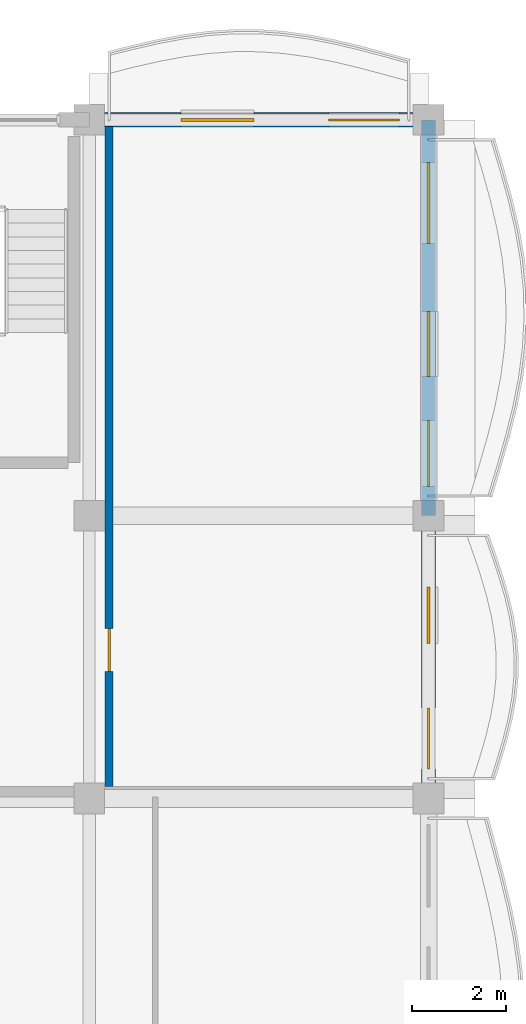
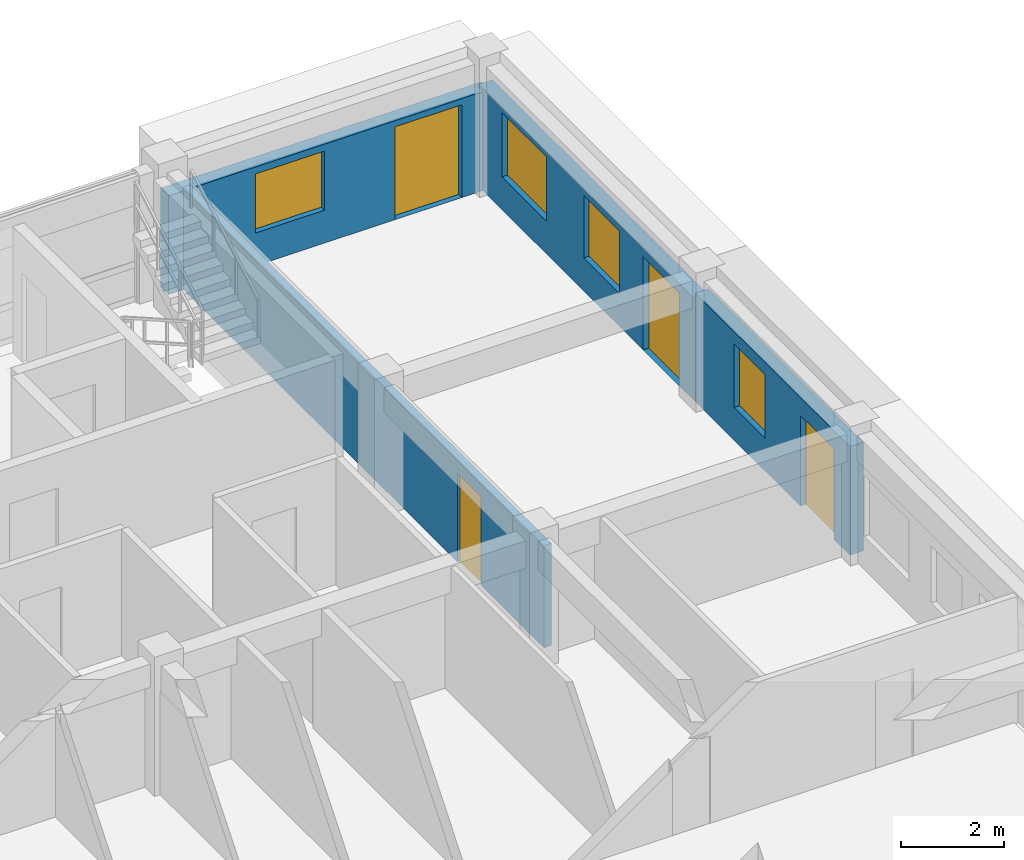
# One storey, part 37 of 66: 4 doors, 4 walls, 4 windows, 8 openings.
"""IFC4 building model written with IfcOpenShell, lengths in metres."""

from ifc_helpers import new_model, si_unit, direction, frame, frame_2d, origin, place, context, subcontext, project, spatial, rectangle, extrude, material, layer, layer_set, type_object, element, fill, save


model = new_model("IFC4")

# Units and contexts
model_context = context("Model", 3, precision=1e-05, world=origin(), true_north=direction((0.0, 1.0)))
body_context = subcontext(model_context, "Body", "Model", "MODEL_VIEW")
ifc_project = project(units=[si_unit("LENGTHUNIT", "METRE"), si_unit("AREAUNIT", "SQUARE_METRE"), si_unit("VOLUMEUNIT", "CUBIC_METRE"), si_unit("PLANEANGLEUNIT", "RADIAN"), si_unit("MASSUNIT", "GRAM", prefix="KILO"), si_unit("THERMODYNAMICTEMPERATUREUNIT", "KELVIN")], contexts=[model_context])

# Site, building, storey
site_placement = place(None, origin())
site = spatial("IfcSite", under=ifc_project, at=site_placement, CompositionType="ELEMENT")
building_placement = place(site_placement, origin())
building = spatial("IfcBuilding", under=site, at=building_placement, Name="Thalorik Housing Commons", CompositionType="ELEMENT")
storey_placement = place(building_placement, frame((0.0, 0.0, 21.300048828125)))
storey = spatial("IfcBuildingStorey", under=building, at=storey_placement, Name="L06", CompositionType="ELEMENT", Elevation=21.300048828125)

# Wall, opening, door
ifc_material_1 = material(Name="Masonry fire-rated corridor wall", Category="masonry")
ifc_layer_1 = layer(ifc_material_1, 0.1650390625, Name="Masonry fire-rated corridor wall", Category="masonry")
ifc_layer_set_1 = layer_set([ifc_layer_1], Name="Masonry fire-rated corridor wall")
wall_type_1 = type_object("IfcWallType", Name="ARC-WAL-CORR-165", PredefinedType="PARTITIONING", material=ifc_layer_set_1)
wall_1_placement = place(storey_placement, frame((167.219970703125, 109.451904296875, 0.0), z_axis=(0.0, 0.0, 1.0), x_axis=(0.0, 1.0, 0.0)))
wall_1 = element("IfcWall", 1, at=wall_1_placement, inside=storey, type_object=wall_type_1, Name="L06 Block B East Studio Wall", PredefinedType="PARTITIONING", context=body_context, shape_type="SweptSolid", body=[
    extrude(rectangle(XDim=14.008056640625, YDim=0.1650390625, at=frame_2d((7.00390625, 0.0))), origin(), (0.0, 0.0, 1.0), 2.425048828125),
])
opening_1_placement = place(wall_1_placement, frame((2.43798828125, 0.0, 0.0)))
opening_1 = element("IfcOpeningElement", 2, at=opening_1_placement, cuts=wall_1, Name="Opening ID-1253", PredefinedType="OPENING", context=body_context, shape_type="SweptSolid", body=[
    extrude(rectangle(XDim=0.919921875, YDim=2.10009765625, at=frame_2d((0.4599609375, 1.050048828125))), frame((0.0, 0.092529296875, 0.0), z_axis=(0.0, -1.0, 0.0), x_axis=(1.0, 0.0, 0.0)), (0.0, 0.0, 1.0), 0.18505859375),
])
ifc_material_2 = material(Name="Solid core hardwood timber", Category="wood")
door_type_1 = type_object("IfcDoorType", Name="ARC-DR-FD30-920", OperationType="NOTDEFINED", PredefinedType="DOOR", material=ifc_material_2)
door_1_placement = place(opening_1_placement, origin())
door_1 = element("IfcDoor", 3, at=door_1_placement, inside=storey, type_object=door_type_1, Name="L06 Block B East Room Door", OperationType="SINGLE_SWING_RIGHT", OverallHeight=2.10009765625, OverallWidth=0.919921875, PredefinedType="DOOR", context=body_context, shape_type="SweptSolid", body=[
    extrude(rectangle(XDim=0.919921875, YDim=2.10009765625, at=frame_2d((0.4599609375, 1.050048828125))), frame((0.0, 0.02490234375, 0.0), z_axis=(0.0, -1.0, 0.0), x_axis=(1.0, 0.0, 0.0)), (0.0, 0.0, 1.0), 0.050048828125),
])
fill(opening_1, door_1)

# Wall, openings, door, window
ifc_material_3 = material(Name="White precast concrete C40/50", Category="concrete")
ifc_layer_2 = layer(ifc_material_3, 0.304931640625, Name="White precast concrete C40/50", Category="concrete")
ifc_layer_set_2 = layer_set([ifc_layer_2], Name="White precast concrete C40/50")
wall_type_2 = type_object("IfcWallType", Name="ARC-WAL-EXT-305", PredefinedType="STANDARD", material=ifc_layer_set_2)
wall_2_placement = place(storey_placement, frame((174.0, 109.199951171875, 0.0), z_axis=(0.0, 0.0, 1.0), x_axis=(0.0, 1.0, 0.0)))
wall_2 = element("IfcWall", 4, at=wall_2_placement, inside=storey, type_object=wall_type_2, Name="L06 Exterior Wall WAL-EXT-L06-B-0597", PredefinedType="STANDARD", context=body_context, shape_type="SweptSolid", body=[
    extrude(rectangle(XDim=6.0, YDim=0.304931640625, at=frame_2d((3.0, 0.0))), origin(), (0.0, 0.0, 1.0), 2.574951171875),
])
opening_2_placement = place(wall_2_placement, frame((0.6201171875, 0.0, 0.0)))
opening_2 = element("IfcOpeningElement", 5, at=opening_2_placement, cuts=wall_2, Name="Opening ED-0191", PredefinedType="OPENING", context=body_context, shape_type="SweptSolid", body=[
    extrude(rectangle(XDim=1.300048828125, YDim=2.14990234375, at=frame_2d((0.64990234375, 1.074951171875))), frame((0.0, 0.16259765625, 0.0), z_axis=(0.0, -1.0, 0.0), x_axis=(1.0, 0.0, 0.0)), (0.0, 0.0, 1.0), 0.324951171875),
])
opening_3_placement = place(wall_2_placement, frame((3.2900390625, 0.0, 0.780029296875)))
opening_3 = element("IfcOpeningElement", 6, at=opening_3_placement, cuts=wall_2, Name="Opening W-05", PredefinedType="OPENING", context=body_context, shape_type="SweptSolid", body=[
    extrude(rectangle(XDim=1.199951171875, YDim=1.5, at=frame_2d((0.60009765625, 0.75))), frame((0.0, 0.16259765625, 0.0), z_axis=(0.0, -1.0, 0.0), x_axis=(1.0, 0.0, 0.0)), (0.0, 0.0, 1.0), 0.324951171875),
])
ifc_material_4 = material(Name="Anodised aluminium and laminated safety glass", Category="aluminium")
door_type_2 = type_object("IfcDoorType", Name="ARC-DR-BAL-1300", OperationType="NOTDEFINED", PredefinedType="DOOR", material=ifc_material_4)
door_2_placement = place(opening_2_placement, frame((1.300048828125, 0.0, 0.0), z_axis=(0.0, 0.0, 1.0), x_axis=(-1.0, 0.0, 0.0)))
door_2 = element("IfcDoor", 7, at=door_2_placement, inside=storey, type_object=door_type_2, Name="L06 Block B Balcony Glazed Door", OperationType="SINGLE_SWING_RIGHT", OverallHeight=2.14990234375, OverallWidth=1.300048828125, PredefinedType="DOOR", context=body_context, shape_type="SweptSolid", body=[
    extrude(rectangle(XDim=1.300048828125, YDim=2.14990234375, at=frame_2d((0.64990234375, 1.074951171875))), frame((0.0, 0.02490234375, 0.0), z_axis=(0.0, -1.0, 0.0), x_axis=(1.0, 0.0, 0.0)), (0.0, 0.0, 1.0), 0.050048828125),
])
fill(opening_2, door_2)
ifc_material_5 = material(Name="Anodised aluminium and solar-control low-E glass", Category="aluminium")
window_type_1 = type_object("IfcWindowType", Name="ARC-WIN-05", PartitioningType="SINGLE_PANEL", PredefinedType="WINDOW", material=ifc_material_5)
window_1_placement = place(opening_3_placement, origin())
window_1 = element("IfcWindow", 8, at=window_1_placement, inside=storey, type_object=window_type_1, Name="L06 Facade Window 1085", OverallHeight=1.5, OverallWidth=1.199951171875, PartitioningType="SINGLE_PANEL", PredefinedType="WINDOW", context=body_context, shape_type="SweptSolid", body=[
    extrude(rectangle(XDim=1.199951171875, YDim=1.5, at=frame_2d((0.60009765625, 0.75))), frame((0.0, 0.030029296875, 0.0), z_axis=(0.0, -1.0, 0.0), x_axis=(1.0, 0.0, 0.0)), (0.0, 0.0, 1.0), 0.06005859375),
])
fill(opening_3, window_1)

# Wall, openings, door, windows
wall_3_placement = place(storey_placement, frame((174.0, 115.199951171875, 0.0), z_axis=(0.0, 0.0, 1.0), x_axis=(0.0, 1.0, 0.0)))
wall_3 = element("IfcWall", 9, at=wall_3_placement, inside=storey, type_object=wall_type_2, Name="L06 Exterior Wall WAL-EXT-L06-B-0598", PredefinedType="STANDARD", context=body_context, shape_type="SweptSolid", body=[
    extrude(rectangle(XDim=8.400146484375, YDim=0.304931640625, at=frame_2d((4.2001953125, 0.0))), origin(), (0.0, 0.0, 1.0), 2.425048828125),
])
opening_4_placement = place(wall_3_placement, frame((0.6201171875, 0.0, 0.0)))
opening_4 = element("IfcOpeningElement", 10, at=opening_4_placement, cuts=wall_3, Name="Opening ED-0192", PredefinedType="OPENING", context=body_context, shape_type="SweptSolid", body=[
    extrude(rectangle(XDim=1.39990234375, YDim=2.199951171875, at=frame_2d((0.699951171875, 1.10009765625))), frame((0.0, 0.16259765625, 0.0), z_axis=(0.0, -1.0, 0.0), x_axis=(1.0, 0.0, 0.0)), (0.0, 0.0, 1.0), 0.324951171875),
])
opening_5_placement = place(wall_3_placement, frame((2.949951171875, 0.0, 0.780029296875)))
opening_5 = element("IfcOpeningElement", 11, at=opening_5_placement, cuts=wall_3, Name="Opening W-49", PredefinedType="OPENING", context=body_context, shape_type="SweptSolid", body=[
    extrude(rectangle(XDim=1.3798828125, YDim=1.47998046875, at=frame_2d((0.68994140625, 0.739990234375))), frame((0.0, 0.16259765625, 0.0), z_axis=(0.0, -1.0, 0.0), x_axis=(1.0, 0.0, 0.0)), (0.0, 0.0, 1.0), 0.324951171875),
])
opening_6_placement = place(wall_3_placement, frame((5.780029296875, 0.0, 0.780029296875)))
opening_6 = element("IfcOpeningElement", 12, at=opening_6_placement, cuts=wall_3, Name="Opening W-56", PredefinedType="OPENING", context=body_context, shape_type="SweptSolid", body=[
    extrude(rectangle(XDim=1.719970703125, YDim=1.52001953125, at=frame_2d((0.85986328125, 0.760009765625))), frame((0.0, 0.16259765625, 0.0), z_axis=(0.0, -1.0, 0.0), x_axis=(1.0, 0.0, 0.0)), (0.0, 0.0, 1.0), 0.324951171875),
])
door_type_3 = type_object("IfcDoorType", Name="ARC-DR-BAL-1400", OperationType="NOTDEFINED", PredefinedType="DOOR", material=ifc_material_4)
door_3_placement = place(opening_4_placement, frame((1.39990234375, 0.0, 0.0), z_axis=(0.0, 0.0, 1.0), x_axis=(-1.0, 0.0, 0.0)))
door_3 = element("IfcDoor", 13, at=door_3_placement, inside=storey, type_object=door_type_3, Name="L06 Block B Balcony Glazed Door", OperationType="SLIDING_TO_LEFT", OverallHeight=2.199951171875, OverallWidth=1.39990234375, PredefinedType="DOOR", context=body_context, shape_type="SweptSolid", body=[
    extrude(rectangle(XDim=1.39990234375, YDim=2.199951171875, at=frame_2d((0.699951171875, 1.10009765625))), frame((0.0, 0.02490234375, 0.0), z_axis=(0.0, -1.0, 0.0), x_axis=(1.0, 0.0, 0.0)), (0.0, 0.0, 1.0), 0.050048828125),
])
fill(opening_4, door_3)
window_type_2 = type_object("IfcWindowType", Name="ARC-WIN-49", PartitioningType="SINGLE_PANEL", PredefinedType="WINDOW", material=ifc_material_5)
window_2_placement = place(opening_5_placement, origin())
window_2 = element("IfcWindow", 14, at=window_2_placement, inside=storey, type_object=window_type_2, Name="L06 Facade Window 1086", OverallHeight=1.47998046875, OverallWidth=1.3798828125, PartitioningType="SINGLE_PANEL", PredefinedType="WINDOW", context=body_context, shape_type="SweptSolid", body=[
    extrude(rectangle(XDim=1.3798828125, YDim=1.47998046875, at=frame_2d((0.68994140625, 0.739990234375))), frame((0.0, 0.030029296875, 0.0), z_axis=(0.0, -1.0, 0.0), x_axis=(1.0, 0.0, 0.0)), (0.0, 0.0, 1.0), 0.06005859375),
])
fill(opening_5, window_2)
window_type_3 = type_object("IfcWindowType", Name="ARC-WIN-56", PartitioningType="DOUBLE_PANEL_VERTICAL", PredefinedType="WINDOW", material=ifc_material_5)
window_3_placement = place(opening_6_placement, origin())
window_3 = element("IfcWindow", 15, at=window_3_placement, inside=storey, type_object=window_type_3, Name="L06 Facade Window 1087", OverallHeight=1.52001953125, OverallWidth=1.719970703125, PartitioningType="DOUBLE_PANEL_VERTICAL", PredefinedType="WINDOW", context=body_context, shape_type="SweptSolid", body=[
    extrude(rectangle(XDim=1.719970703125, YDim=1.52001953125, at=frame_2d((0.85986328125, 0.760009765625))), frame((0.0, 0.030029296875, 0.0), z_axis=(0.0, -1.0, 0.0), x_axis=(1.0, 0.0, 0.0)), (0.0, 0.0, 1.0), 0.06005859375),
])
fill(opening_6, window_3)

# Wall, openings, door, window
wall_4_placement = place(storey_placement, frame((174.0, 123.60009765625, 0.0), z_axis=(0.0, 0.0, 1.0), x_axis=(-1.0, 0.0, 0.0)))
wall_4 = element("IfcWall", 16, at=wall_4_placement, inside=storey, type_object=wall_type_2, Name="L06 Exterior Wall WAL-EXT-L06-B-0599", PredefinedType="STANDARD", context=body_context, shape_type="SweptSolid", body=[
    extrude(rectangle(XDim=7.199951171875, YDim=0.304931640625, at=frame_2d((3.60009765625, 0.0))), origin(), (0.0, 0.0, 1.0), 2.344970703125),
])
opening_7_placement = place(wall_4_placement, frame((0.6201171875, 0.0, 0.0)))
opening_7 = element("IfcOpeningElement", 17, at=opening_7_placement, cuts=wall_4, Name="Opening ED-0193", PredefinedType="OPENING", context=body_context, shape_type="SweptSolid", body=[
    extrude(rectangle(XDim=1.5, YDim=2.199951171875, at=frame_2d((0.75, 1.10009765625))), frame((0.0, 0.16259765625, 0.0), z_axis=(0.0, -1.0, 0.0), x_axis=(1.0, 0.0, 0.0)), (0.0, 0.0, 1.0), 0.324951171875),
])
opening_8_placement = place(wall_4_placement, frame((3.699951171875, 0.0, 0.780029296875)))
opening_8 = element("IfcOpeningElement", 18, at=opening_8_placement, cuts=wall_4, Name="Opening W-12", PredefinedType="OPENING", context=body_context, shape_type="SweptSolid", body=[
    extrude(rectangle(XDim=1.550048828125, YDim=1.39990234375, at=frame_2d((0.77490234375, 0.699951171875))), frame((0.0, 0.16259765625, 0.0), z_axis=(0.0, -1.0, 0.0), x_axis=(1.0, 0.0, 0.0)), (0.0, 0.0, 1.0), 0.324951171875),
])
door_type_4 = type_object("IfcDoorType", Name="ARC-DR-BAL-1500", OperationType="NOTDEFINED", PredefinedType="DOOR", material=ifc_material_4)
door_4_placement = place(opening_7_placement, frame((1.5, 0.0, 0.0), z_axis=(0.0, 0.0, 1.0), x_axis=(-1.0, 0.0, 0.0)))
door_4 = element("IfcDoor", 19, at=door_4_placement, inside=storey, type_object=door_type_4, Name="L06 Block B Balcony Glazed Door", OperationType="SLIDING_TO_RIGHT", OverallHeight=2.199951171875, OverallWidth=1.5, PredefinedType="DOOR", context=body_context, shape_type="SweptSolid", body=[
    extrude(rectangle(XDim=1.5, YDim=2.199951171875, at=frame_2d((0.75, 1.10009765625))), frame((0.0, 0.02490234375, 0.0), z_axis=(0.0, -1.0, 0.0), x_axis=(1.0, 0.0, 0.0)), (0.0, 0.0, 1.0), 0.050048828125),
])
fill(opening_7, door_4)
window_type_4 = type_object("IfcWindowType", Name="ARC-WIN-12", PartitioningType="SINGLE_PANEL", PredefinedType="WINDOW", material=ifc_material_5)
window_4_placement = place(opening_8_placement, origin())
window_4 = element("IfcWindow", 20, at=window_4_placement, inside=storey, type_object=window_type_4, Name="L06 Facade Window 1088", OverallHeight=1.39990234375, OverallWidth=1.550048828125, PartitioningType="SINGLE_PANEL", PredefinedType="WINDOW", context=body_context, shape_type="SweptSolid", body=[
    extrude(rectangle(XDim=1.550048828125, YDim=1.39990234375, at=frame_2d((0.77490234375, 0.699951171875))), frame((0.0, 0.030029296875, 0.0), z_axis=(0.0, -1.0, 0.0), x_axis=(1.0, 0.0, 0.0)), (0.0, 0.0, 1.0), 0.06005859375),
])
fill(opening_8, window_4)

save(model, "model.ifc")
